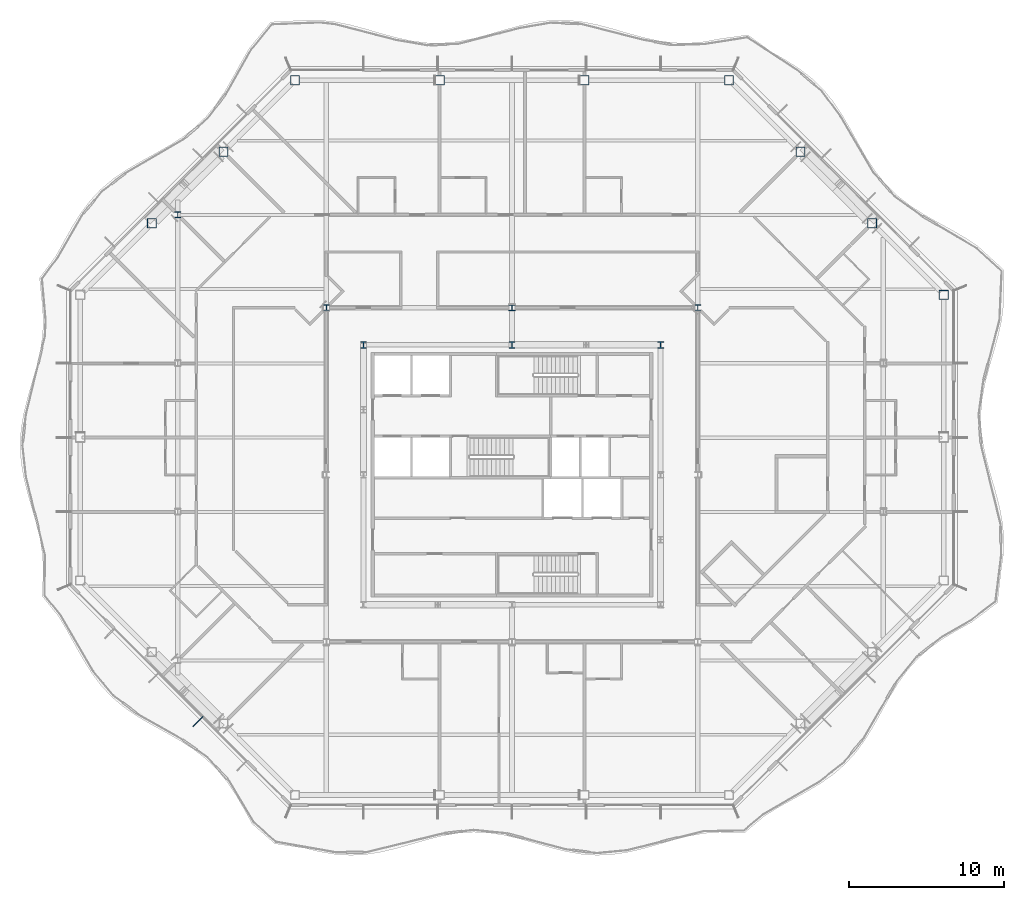
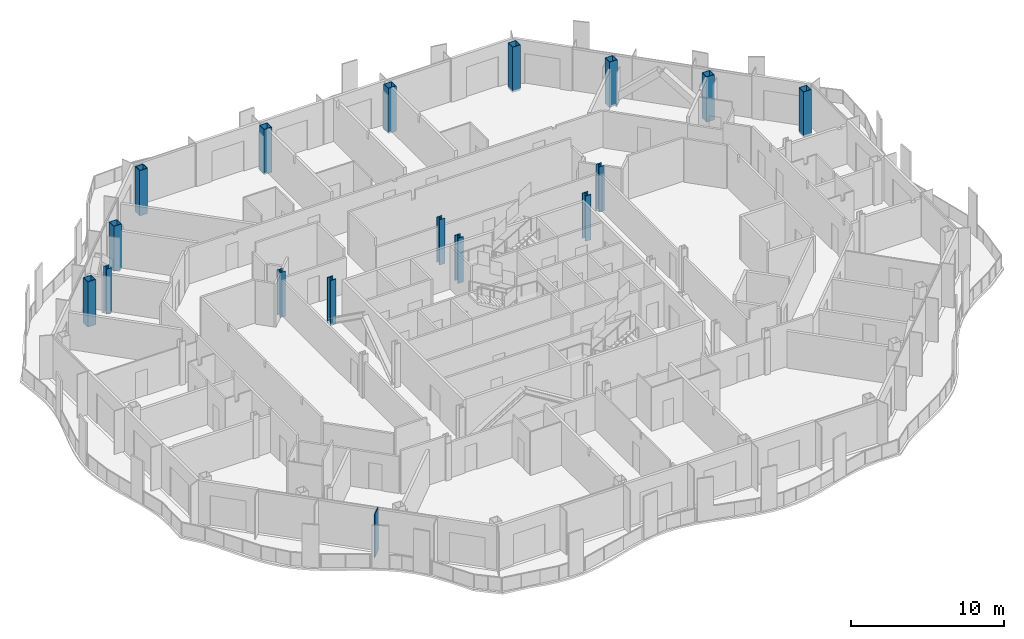
# One storey, part 2 of 21: 16 columns, 1 member, 1 element without a shape of its own.
"""IFC4 building model written with IfcOpenShell, lengths in metres."""

from ifc_helpers import new_model, si_unit, direction, frame, origin, origin_2d, place, context, subcontext, project, spatial, rectangle, hollow_rectangle, i_section, extrude, material, material_profile, profile_set, type_object, element, aggregate, save


model = new_model("IFC4")

# Units and contexts
model_context = context("Model", 3, precision=1e-05, world=origin(), true_north=direction((0.0, 1.0)))
body_context = subcontext(model_context, "Body", "Model", "MODEL_VIEW")
ifc_project = project(units=[si_unit("LENGTHUNIT", "METRE"), si_unit("AREAUNIT", "SQUARE_METRE"), si_unit("VOLUMEUNIT", "CUBIC_METRE"), si_unit("PLANEANGLEUNIT", "RADIAN"), si_unit("MASSUNIT", "GRAM", prefix="KILO")], contexts=[model_context])

# Site, building, storey
site_placement = place(None, origin())
site = spatial("IfcSite", under=ifc_project, at=site_placement, CompositionType="ELEMENT")
building_placement = place(site_placement, origin())
building = spatial("IfcBuilding", under=site, at=building_placement, Name="Cairn Pilgrim Tower", CompositionType="ELEMENT")
storey_placement = place(building_placement, frame((0.0, 0.0, 161.39990234375)))
storey = spatial("IfcBuildingStorey", under=building, at=storey_placement, Name="L40", CompositionType="ELEMENT", Elevation=161.39990234375)

# Columns
ifc_material_1 = material(Name="Structural steel S460M", Category="steel")
ifc_material_profile_1 = material_profile(ifc_material_1, hollow_rectangle(XDim=0.60009765625, YDim=0.60009765625, WallThickness=0.034912109375, at=origin_2d()), Name="BOX 600x600x35")
ifc_profile_set_1 = profile_set([ifc_material_profile_1], Name="Structural steel S460M")
column_type_1 = type_object("IfcColumnType", Name="BOX 600x600x35", PredefinedType="COLUMN", material=ifc_profile_set_1)
for number, where, z_axis, x_axis, name in (
    (1, (35.10009765625, 14.027099609375, -0.14990234375), (0.0, 0.0, 1.0), (1.0, 0.0, 0.0), "PC2-NE1"),
    (2, (30.4755859375, 18.651611328125, -0.14990234375), (0.0, 0.0, 1.0), (1.0, 0.0, 0.0), "PC2-NE2"),
    (3, (25.8515625, 23.275634765625, -0.14990234375), (0.0, 0.0, 1.0), (1.0, 0.0, 0.0), "PC2-NE3"),
    (4, (21.227294921875, 27.89990234375, -0.14990234375), (0.0, 0.0, 1.0), (1.0, 0.0, 0.0), "PC2-N1"),
    (5, (11.875732421875, 27.89990234375, -0.14990234375), (0.0, 0.0, 1.0), (1.0, 0.0, 0.0), "PC2-N2"),
    (6, (2.5244140625, 27.89990234375, -0.14990234375), (0.0, 0.0, 1.0), (1.0, 0.0, 0.0), "PC2-N3"),
    (7, (-6.8271484375, 27.89990234375, -0.14990234375), (0.0, 0.0, 1.0), (1.0, 0.0, 0.0), "PC2-NW1"),
    (8, (-11.451416015625, 23.275634765625, -0.14990234375), (0.0, 0.0, 1.0), (1.0, 0.0, 0.0), "PC2-NW2"),
    (9, (-16.07568359375, 18.651611328125, -0.14990234375), (0.0, 0.0, 1.0), (1.0, 0.0, 0.0), "PC2-NW3"),
):
    element("IfcColumn", number, at=place(storey_placement, frame(where, z_axis=z_axis, x_axis=x_axis)), inside=storey, type_object=column_type_1, Name=name, PredefinedType="COLUMN", context=body_context, shape_type="SweptSolid", body=[
        extrude(hollow_rectangle(XDim=0.60009765625, YDim=0.60009765625, WallThickness=0.034912109375, at=origin_2d()), origin(), (0.0, 0.0, 1.0), 3.60009765625),
    ])
ifc_material_2 = material(Name="Structural steel S355J2", Category="steel")
ifc_material_profile_2 = material_profile(ifc_material_2, i_section(OverallWidth=0.39892578125, OverallDepth=0.39306640625, WebThickness=0.022705078125, FlangeThickness=0.03662109375, FilletRadius=0.014892578125, at=origin_2d()), Name="HD 400x287")
ifc_profile_set_2 = profile_set([ifc_material_profile_2], Name="Structural steel S355J2")
column_type_2 = type_object("IfcColumnType", Name="HD 400x287", PredefinedType="COLUMN", material=ifc_profile_set_2)
for number, where, z_axis, x_axis, name in (
    (10, (-4.800048828125, 13.199951171875, -0.14990234375), (0.0, 0.0, 1.0), (1.0, 0.0, 0.0), "IC-6"),
    (11, (7.199951171875, 13.199951171875, -0.14990234375), (0.0, 0.0, 1.0), (1.0, 0.0, 0.0), "IC-7"),
    (12, (19.199951171875, 13.199951171875, -0.14990234375), (0.0, 0.0, 1.0), (1.0, 0.0, 0.0), "IC-8"),
    (13, (-14.39990234375, 19.199951171875, -0.14990234375), (0.0, 0.0, 1.0), (1.0, 0.0, 0.0), "WC-WW+4"),
):
    element("IfcColumn", number, at=place(storey_placement, frame(where, z_axis=z_axis, x_axis=x_axis)), inside=storey, type_object=column_type_2, Name=name, PredefinedType="COLUMN", context=body_context, shape_type="SweptSolid", body=[
        extrude(i_section(OverallWidth=0.39892578125, OverallDepth=0.39306640625, WebThickness=0.022705078125, FlangeThickness=0.03662109375, FilletRadius=0.014892578125, at=origin_2d()), origin(), (0.0, 0.0, 1.0), 3.60009765625),
    ])
ifc_material_profile_3 = material_profile(ifc_material_1, i_section(OverallWidth=0.416015625, OverallDepth=0.446044921875, WebThickness=0.0390625, FlangeThickness=0.062744140625, FilletRadius=0.014892578125, at=origin_2d()), Name="HD 400x509")
ifc_profile_set_3 = profile_set([ifc_material_profile_3], Name="Structural steel S460M")
column_type_3 = type_object("IfcColumnType", Name="HD 400x509", PredefinedType="COLUMN", material=ifc_profile_set_3)
for number, where, z_axis, x_axis, name in (
    (14, (-2.39990234375, 10.800048828125, -0.14990234375), (0.0, 0.0, 1.0), (1.0, 0.0, 0.0), "KC-6"),
    (15, (7.199951171875, 10.800048828125, -0.14990234375), (0.0, 0.0, 1.0), (1.0, 0.0, 0.0), "KC-7"),
    (16, (16.800048828125, 10.800048828125, -0.14990234375), (0.0, 0.0, 1.0), (1.0, 0.0, 0.0), "KC-8"),
):
    element("IfcColumn", number, at=place(storey_placement, frame(where, z_axis=z_axis, x_axis=x_axis)), inside=storey, type_object=column_type_3, Name=name, PredefinedType="COLUMN", context=body_context, shape_type="SweptSolid", body=[
        extrude(i_section(OverallWidth=0.416015625, OverallDepth=0.446044921875, WebThickness=0.0390625, FlangeThickness=0.062744140625, FilletRadius=0.014892578125, at=origin_2d()), origin(), (0.0, 0.0, 1.0), 3.60009765625),
    ])

# Curtain wall, member
ifc_material_3 = material(Name="Aluminium alloy 6063-T6 bronze anodised with Bronze tinted laminated low-E glass 8+16+8.8", Category="aluminium")
curtain_wall_type = type_object("IfcCurtainWallType", Name="CHAMFER CORNER CURTAIN WALL", PredefinedType="NOTDEFINED", material=ifc_material_3)
curtain_wall_placement = place(storey_placement, origin())
curtain_wall = element("IfcCurtainWall", 17, at=curtain_wall_placement, inside=storey, type_object=curtain_wall_type, Name="Chamfer Corner Curtain Wall SW", PredefinedType="NOTDEFINED")
ifc_material_4 = material(Name="Aluminium alloy 6063-T6 bronze anodised", Category="aluminium")
ifc_material_profile_4 = material_profile(ifc_material_4, rectangle(XDim=0.89990234375, YDim=0.06005859375, at=origin_2d()), Name="FIN MULLION 60x900 BRONZE")
ifc_profile_set_4 = profile_set([ifc_material_profile_4], Name="Aluminium alloy 6063-T6 bronze anodised")
member_type = type_object("IfcMemberType", Name="FIN MULLION 60x900 BRONZE", PredefinedType="MULLION", material=ifc_profile_set_4)
member_placement = place(storey_placement, frame((-13.094970703125, -13.545654296875, 0.0), z_axis=(0.0, 0.0, 1.0), x_axis=(-0.707106781187, -0.707106781187, 0.0)))
member = element("IfcMember", 18, at=member_placement, type_object=member_type, Name="Fin mullion SW4", PredefinedType="MULLION", context=body_context, shape_type="SweptSolid", body=[
    extrude(rectangle(XDim=0.89990234375, YDim=0.06005859375, at=origin_2d()), origin(), (0.0, 0.0, 1.0), 3.4501953125),
])
aggregate(curtain_wall, [member])

save(model, "model.ifc")
